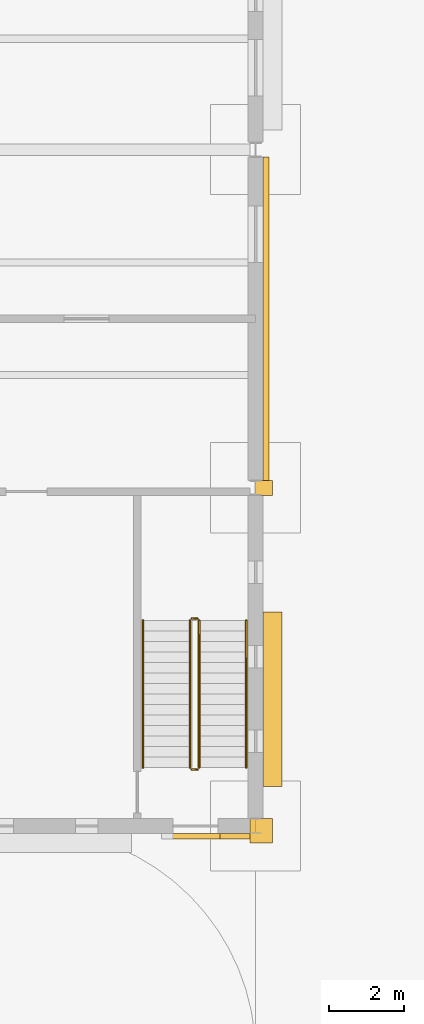
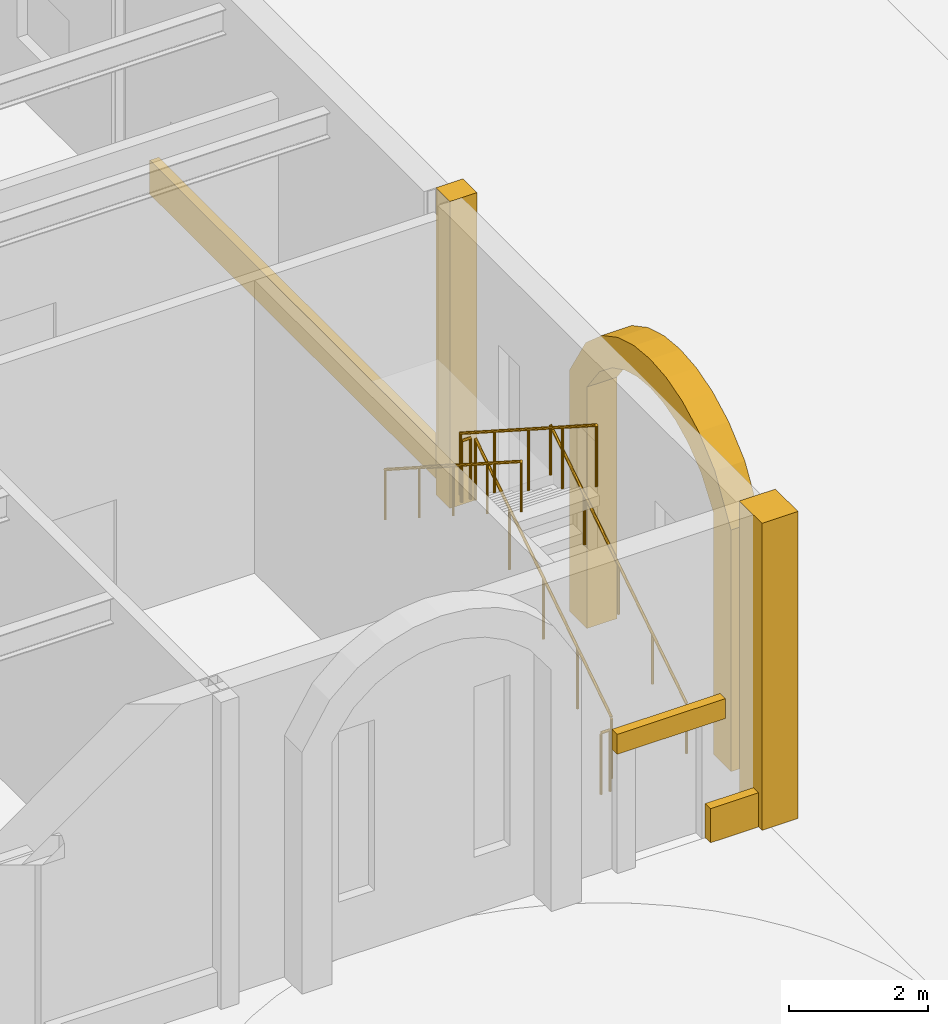
# One storey, part 102 of 126: 6 coverings, 6 railings.
"""IFC4 building model written with IfcOpenShell, lengths in metres."""

from ifc_helpers import new_model, si_unit, direction, frame, origin, origin_2d, place, context, subcontext, project, spatial, polyline, rectangle, circle, outline, extrude, material, layer, layer_set, type_object, element, save


model = new_model("IFC4")

# Units and contexts
model_context = context("Model", 3, precision=1e-05, world=origin(), true_north=direction((0.0, 1.0)))
body_context = subcontext(model_context, "Body", "Model", "MODEL_VIEW")
ifc_project = project(units=[si_unit("LENGTHUNIT", "METRE"), si_unit("AREAUNIT", "SQUARE_METRE"), si_unit("VOLUMEUNIT", "CUBIC_METRE"), si_unit("PLANEANGLEUNIT", "RADIAN"), si_unit("MASSUNIT", "GRAM", prefix="KILO")], contexts=[model_context])

# Site, building, storey
site_placement = place(None, origin())
site = spatial("IfcSite", under=ifc_project, at=site_placement, CompositionType="ELEMENT")
building_placement = place(site_placement, origin())
building = spatial("IfcBuilding", under=site, at=building_placement, Name="Kallimachos Central Library", CompositionType="ELEMENT")
storey_placement = place(building_placement, origin())
storey = spatial("IfcBuildingStorey", under=building, at=storey_placement, Name="L00", CompositionType="ELEMENT", Elevation=0.0)

# Railings
ifc_material_1 = material(Name="Steel S355J2", Category="steel")
railing_type_1 = type_object("IfcRailingType", Name="Stair handrail 900", PredefinedType="HANDRAIL", material=ifc_material_1)
railing_1_placement = place(storey_placement, frame((110.25, 19.550048828125, 0.179931640625)))
element("IfcRailing", 1, at=railing_1_placement, inside=storey, type_object=railing_type_1, Name="L00 ST16 stair handrail 1", PredefinedType="HANDRAIL", context=body_context, shape_type="SweptSolid", body=[
    extrude(circle(Radius=0.02392578125, at=origin_2d()), frame((0.0, 0.0, 0.8759765625), z_axis=(0.0, 0.841171666519, 0.540768182723), x_axis=(-1.0, 0.0, 0.0)), (0.0, 0.0, 1.0), 4.66015625),
    extrude(circle(Radius=0.02099609375, at=origin_2d()), origin(), (0.0, 0.0, 1.0), 0.851806640625),
    extrude(circle(Radius=0.02099609375, at=origin_2d()), frame((0.0, 0.97998046875, 0.6298828125)), (0.0, 0.0, 1.0), 0.851806640625),
    extrude(circle(Radius=0.02099609375, at=origin_2d()), frame((0.0, 1.9599609375, 1.260009765625)), (0.0, 0.0, 1.0), 0.851806640625),
    extrude(circle(Radius=0.02099609375, at=origin_2d()), frame((0.0, 2.93994140625, 1.89013671875)), (0.0, 0.0, 1.0), 0.851806640625),
    extrude(circle(Radius=0.02099609375, at=origin_2d()), frame((0.0, 3.919921875, 2.52001953125)), (0.0, 0.0, 1.0), 0.851806640625),
])
railing_2_placement = place(storey_placement, frame((107.5, 23.469970703125, 2.8798828125)))
element("IfcRailing", 2, at=railing_2_placement, inside=storey, type_object=railing_type_1, Name="L00 ST16 stair handrail 2", PredefinedType="HANDRAIL", context=body_context, shape_type="SweptSolid", body=[
    extrude(circle(Radius=0.02392578125, at=origin_2d()), frame((0.0, 0.0, 0.8759765625), z_axis=(0.0, -0.841171666519, 0.540768182723), x_axis=(1.0, 0.0, 0.0)), (0.0, 0.0, 1.0), 4.66015625),
    extrude(circle(Radius=0.02099609375, at=origin_2d()), origin(), (0.0, 0.0, 1.0), 0.851806640625),
    extrude(circle(Radius=0.02099609375, at=origin_2d()), frame((0.0, -0.97998046875, 0.6298828125)), (0.0, 0.0, 1.0), 0.851806640625),
    extrude(circle(Radius=0.02099609375, at=origin_2d()), frame((0.0, -1.9599609375, 1.260009765625)), (0.0, 0.0, 1.0), 0.851806640625),
    extrude(circle(Radius=0.02099609375, at=origin_2d()), frame((0.0, -2.93994140625, 1.89013671875)), (0.0, 0.0, 1.0), 0.851806640625),
    extrude(circle(Radius=0.02099609375, at=origin_2d()), frame((0.0, -3.919921875, 2.52001953125)), (0.0, 0.0, 1.0), 0.851806640625),
])

# Coverings
ifc_material_2 = material(Name="Pentelic marble arcade ring", Category="masonry")
ifc_layer_1 = layer(ifc_material_2, 0.5)
ifc_layer_set_1 = layer_set([ifc_layer_1], Name="Stone arcade ring 500")
covering_type_1 = type_object("IfcCoveringType", Name="Stone arcade ring 500", PredefinedType="MOLDING", material=ifc_layer_set_1)
covering_1_placement = place(storey_placement, frame((111.199951171875, 19.550048828125, 0.0), z_axis=(1.0, 0.0, 0.0), x_axis=(0.0, 0.0, 1.0)))
element("IfcCovering", 3, at=covering_1_placement, inside=storey, type_object=covering_type_1, Name="Arch ring -L00-023-7", PredefinedType="MOLDING", context=body_context, shape_type="SweptSolid", body=[
    extrude(outline(polyline([(0.0, 0.0), (4.25, 0.0), (4.74169921875, -0.364990234375), (5.031494140625, -0.72998046875), (5.2119140625, -1.094970703125), (5.3125, -1.4599609375), (5.344970703125, -1.824951171875), (5.3125, -2.18994140625), (5.2119140625, -2.554931640625), (5.031494140625, -2.919921875), (4.74169921875, -3.284912109375), (4.25, -3.64990234375), (0.0, -3.64990234375), (0.0, -4.14990234375), (4.25, -4.14990234375), (5.011474609375, -3.68505859375), (5.41796875, -3.219970703125), (5.6650390625, -2.7548828125), (5.80126953125, -2.2900390625), (5.844970703125, -1.824951171875), (5.80126953125, -1.35986328125), (5.6650390625, -0.89501953125), (5.41796875, -0.429931640625), (5.011474609375, 0.03515625), (4.25, 0.5), (0.0, 0.5), (0.0, 0.0)])), origin(), (0.0, 0.0, -1.0), 0.5),
])
ifc_material_3 = material(Name="Pentelic marble door surround", Category="masonry")
ifc_layer_2 = layer(ifc_material_3, 0.14990234375)
ifc_layer_set_2 = layer_set([ifc_layer_2], Name="Stone door surround 300")
covering_type_2 = type_object("IfcCoveringType", Name="Stone door surround 300", PredefinedType="MOLDING", material=ifc_layer_set_2)
covering_2_placement = place(storey_placement, frame((108.89990234375, 17.72509765625, 2.099853515625), z_axis=(0.0, 0.0, 1.0), x_axis=(1.0, 0.0, 0.0)))
element("IfcCovering", 4, at=covering_2_placement, inside=storey, type_object=covering_type_2, Name="Stone door surround 300 -L00-009", PredefinedType="MOLDING", context=body_context, shape_type="SweptSolid", body=[
    extrude(rectangle(XDim=1.800048828125, YDim=0.14990234375, at=origin_2d()), origin(), (0.0, 0.0, 1.0), 0.35009765625),
])
ifc_material_4 = material(Name="Pentelic marble pilaster", Category="masonry")
ifc_layer_3 = layer(ifc_material_4, 0.25)
ifc_layer_set_3 = layer_set([ifc_layer_3], Name="Stone pilaster 250")
covering_type_3 = type_object("IfcCoveringType", Name="Stone pilaster 250", PredefinedType="CLADDING", material=ifc_layer_set_3)
covering_3_placement = place(storey_placement, frame((110.72509765625, 27.0, 0.0), z_axis=(0.0, 0.0, 1.0), x_axis=(1.0, 0.0, 0.0)))
element("IfcCovering", 5, at=covering_3_placement, inside=storey, type_object=covering_type_3, Name="Stone pilaster 250 -L00-023", PredefinedType="CLADDING", context=body_context, shape_type="SweptSolid", body=[
    extrude(rectangle(XDim=0.449951171875, YDim=0.39990234375, at=origin_2d()), origin(), (0.0, 0.0, 1.0), 5.39990234375),
])
covering_4_placement = place(storey_placement, frame((110.64990234375, 17.875, 0.0), z_axis=(0.0, 0.0, 1.0), x_axis=(1.0, 0.0, 0.0)))
element("IfcCovering", 6, at=covering_4_placement, inside=storey, type_object=covering_type_3, Name="Stone pilaster 250 corner", PredefinedType="CLADDING", context=body_context, shape_type="SweptSolid", body=[
    extrude(rectangle(XDim=0.60009765625, YDim=0.64990234375, at=origin_2d()), origin(), (0.0, 0.0, 1.0), 5.39990234375),
])
ifc_material_5 = material(Name="Pentelic marble plinth course", Category="masonry")
ifc_layer_4 = layer(ifc_material_5, 0.14990234375)
ifc_layer_set_4 = layer_set([ifc_layer_4], Name="Stone plinth course 600")
covering_type_4 = type_object("IfcCoveringType", Name="Stone plinth course 600", PredefinedType="CLADDING", material=ifc_layer_set_4)
covering_5_placement = place(storey_placement, frame((109.949951171875, 17.72509765625, 0.0), z_axis=(0.0, 0.0, 1.0), x_axis=(1.0, 0.0, 0.0)))
element("IfcCovering", 7, at=covering_5_placement, inside=storey, type_object=covering_type_4, Name="Stone plinth course 600 -L00-014", PredefinedType="CLADDING", context=body_context, shape_type="SweptSolid", body=[
    extrude(rectangle(XDim=0.800048828125, YDim=0.14990234375, at=origin_2d()), origin(), (0.0, 0.0, 1.0), 0.60009765625),
])
covering_6_placement = place(storey_placement, frame((110.77490234375, 31.5, 0.0), z_axis=(0.0, 0.0, 1.0), x_axis=(1.0, 0.0, 0.0)))
element("IfcCovering", 8, at=covering_6_placement, inside=storey, type_object=covering_type_4, Name="Stone plinth course 600 -L00-024", PredefinedType="CLADDING", context=body_context, shape_type="SweptSolid", body=[
    extrude(rectangle(XDim=0.14990234375, YDim=8.60009765625, at=origin_2d()), origin(), (0.0, 0.0, 1.0), 0.60009765625),
])

# Railings
ifc_material_6 = material(Name="Steel S355J2", Category="steel")
railing_type_2 = type_object("IfcRailingType", Name="Wrought-iron guard 1100", PredefinedType="GUARDRAIL", material=ifc_material_6)
railing_3_placement = place(storey_placement, frame((109.0, 19.550048828125, 0.179931640625)))
element("IfcRailing", 9, at=railing_3_placement, inside=storey, type_object=railing_type_2, Name="L00 ST16 stair guard 1", PredefinedType="GUARDRAIL", context=body_context, shape_type="SweptSolid", body=[
    extrude(circle(Radius=0.02392578125, at=origin_2d()), frame((0.0, 0.0, 1.076171875), z_axis=(0.0, 0.841171666519, 0.540768182723), x_axis=(-1.0, 0.0, 0.0)), (0.0, 0.0, 1.0), 4.66015625),
    extrude(circle(Radius=0.02099609375, at=origin_2d()), origin(), (0.0, 0.0, 1.0), 1.052001953125),
    extrude(circle(Radius=0.02099609375, at=origin_2d()), frame((0.0, 0.97998046875, 0.6298828125)), (0.0, 0.0, 1.0), 1.052001953125),
    extrude(circle(Radius=0.02099609375, at=origin_2d()), frame((0.0, 1.9599609375, 1.260009765625)), (0.0, 0.0, 1.0), 1.052001953125),
    extrude(circle(Radius=0.02099609375, at=origin_2d()), frame((0.0, 2.93994140625, 1.89013671875)), (0.0, 0.0, 1.0), 1.052001953125),
    extrude(circle(Radius=0.02099609375, at=origin_2d()), frame((0.0, 3.919921875, 2.52001953125)), (0.0, 0.0, 1.0), 1.052001953125),
])
railing_4_placement = place(storey_placement, frame((108.949951171875, 23.52001953125, 2.699951171875)))
element("IfcRailing", 10, at=railing_4_placement, inside=storey, type_object=railing_type_2, Name="L00 ST16 stair guard 2", PredefinedType="GUARDRAIL", context=body_context, shape_type="SweptSolid", body=[
    extrude(circle(Radius=0.02392578125, at=origin_2d()), frame((0.0, 0.0, 1.076171875), z_axis=(-1.0, 0.0, 0.0), x_axis=(0.0, -1.0, 0.0)), (0.0, 0.0, 1.0), 0.14990234375),
    extrude(circle(Radius=0.02099609375, at=origin_2d()), origin(), (0.0, 0.0, 1.0), 1.052001953125),
    extrude(circle(Radius=0.02099609375, at=origin_2d()), frame((-0.14990234375, 0.0, 0.0)), (0.0, 0.0, 1.0), 1.052001953125),
])
railing_5_placement = place(storey_placement, frame((108.75, 23.469970703125, 2.8798828125)))
element("IfcRailing", 11, at=railing_5_placement, inside=storey, type_object=railing_type_2, Name="L00 ST16 stair guard 3", PredefinedType="GUARDRAIL", context=body_context, shape_type="SweptSolid", body=[
    extrude(circle(Radius=0.02392578125, at=origin_2d()), frame((0.0, 0.0, 1.076171875), z_axis=(0.0, -0.841171666519, 0.540768182723), x_axis=(1.0, 0.0, 0.0)), (0.0, 0.0, 1.0), 4.66015625),
    extrude(circle(Radius=0.02099609375, at=origin_2d()), origin(), (0.0, 0.0, 1.0), 1.052001953125),
    extrude(circle(Radius=0.02099609375, at=origin_2d()), frame((0.0, -0.97998046875, 0.6298828125)), (0.0, 0.0, 1.0), 1.052001953125),
    extrude(circle(Radius=0.02099609375, at=origin_2d()), frame((0.0, -1.9599609375, 1.260009765625)), (0.0, 0.0, 1.0), 1.052001953125),
    extrude(circle(Radius=0.02099609375, at=origin_2d()), frame((0.0, -2.93994140625, 1.89013671875)), (0.0, 0.0, 1.0), 1.052001953125),
    extrude(circle(Radius=0.02099609375, at=origin_2d()), frame((0.0, -3.919921875, 2.52001953125)), (0.0, 0.0, 1.0), 1.052001953125),
])
railing_6_placement = place(storey_placement, frame((108.949951171875, 19.5, 0.0)))
element("IfcRailing", 12, at=railing_6_placement, inside=storey, type_object=railing_type_2, Name="L00 ST16 stair guard 4", PredefinedType="GUARDRAIL", context=body_context, shape_type="SweptSolid", body=[
    extrude(circle(Radius=0.02392578125, at=origin_2d()), frame((0.0, 0.0, 1.076171875), z_axis=(-1.0, 0.0, 0.0), x_axis=(0.0, -1.0, 0.0)), (0.0, 0.0, 1.0), 0.14990234375),
    extrude(circle(Radius=0.02099609375, at=origin_2d()), origin(), (0.0, 0.0, 1.0), 1.052001953125),
    extrude(circle(Radius=0.02099609375, at=origin_2d()), frame((-0.14990234375, 0.0, 0.0)), (0.0, 0.0, 1.0), 1.052001953125),
])

save(model, "model.ifc")
